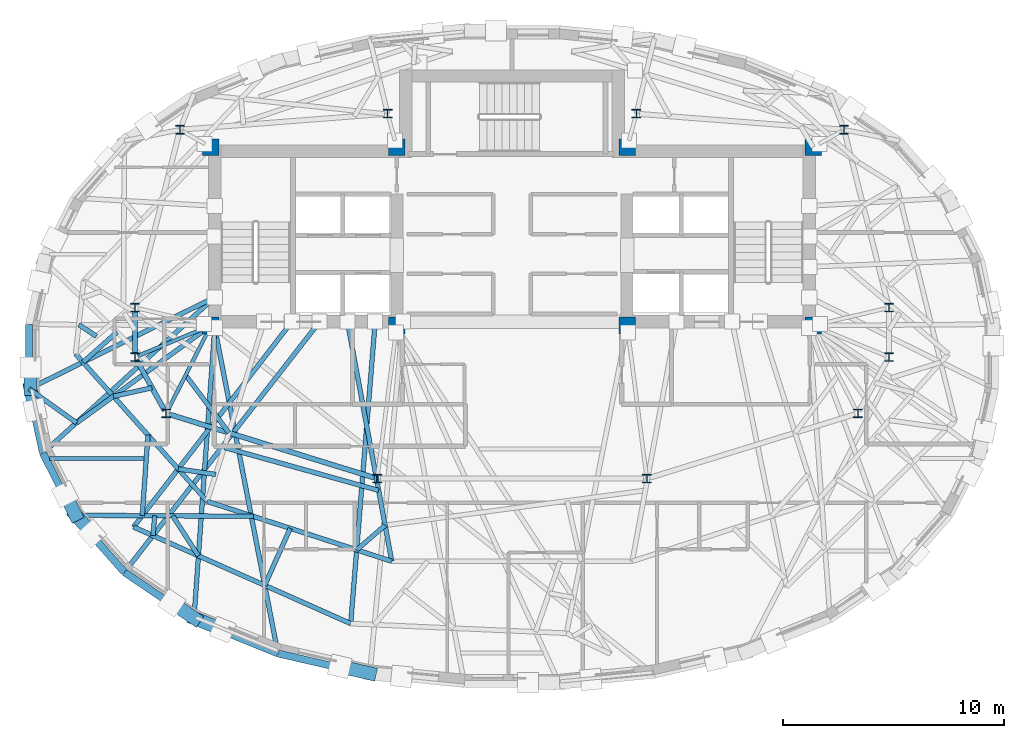
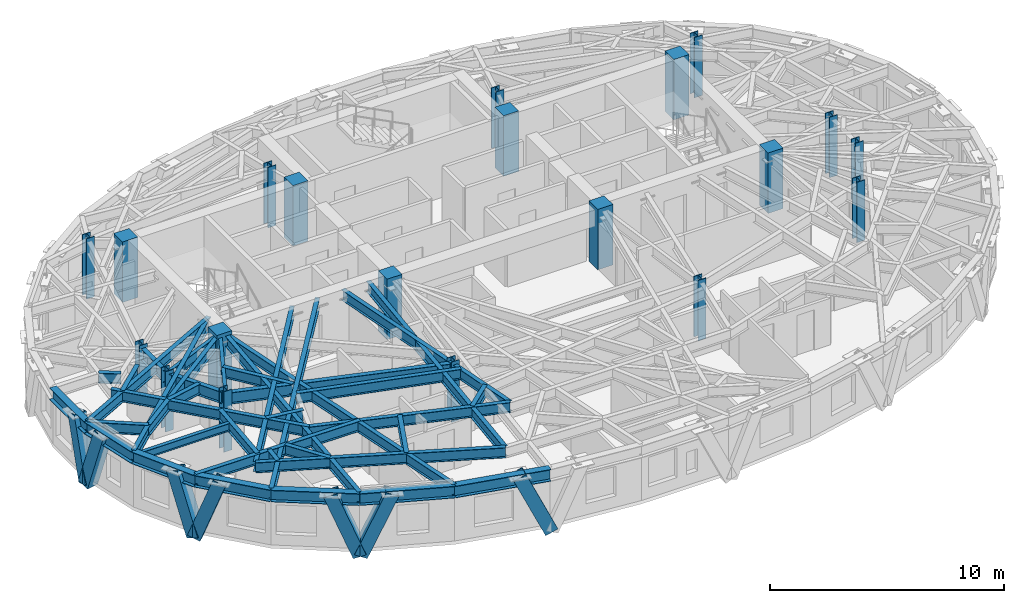
# One storey, part 1 of 13: 38 beams, 20 columns, 7 members.
"""IFC4 building model written with IfcOpenShell, lengths in metres."""

import ifcopenshell
import ifcopenshell.guid

model = None  # the IFC model being written
_history = None  # IfcOwnerHistory: only IFC2X3 demands one
_inside = {}  # id of a spatial element -> (the spatial element, [elements in it])
_under = {}  # id of a project, library or spatial element -> (it, [spatial elements below it])
_declared = {}  # id of a project -> (the project, [libraries it declares])
_typed = {}  # id of a type object -> (the type object, [elements of that type])
_made_of = {}  # id of a material, layer set ... -> (it, [elements and type objects made of it])


def new_model(schema):
    """Start an empty IFC model of exactly this schema.

    Asked for "IFC4X3", IfcOpenShell would pick the latest addendum, in which some entities
    have other attributes; the version numbers below select the first issue.
    IFC2X3 requires an IfcOwnerHistory on every rooted entity: one is made here for all.
    """
    global model, _history
    if schema == "IFC4X3":
        model = ifcopenshell.file(schema_version=(4, 3, 0, 0))
    else:
        model = ifcopenshell.file(schema=schema)
    _inside.clear()
    _under.clear()
    _declared.clear()
    _typed.clear()
    _made_of.clear()
    _history = None
    if model.schema == "IFC2X3":
        org = make("IfcOrganization", Name="unknown")
        user = make(
            "IfcPersonAndOrganization",
            ThePerson=make("IfcPerson", FamilyName="unknown"),
            TheOrganization=org,
        )
        app = make(
            "IfcApplication",
            ApplicationDeveloper=org,
            Version="unknown",
            ApplicationFullName="unknown",
            ApplicationIdentifier="unknown",
        )
        _history = make(
            "IfcOwnerHistory",
            OwningUser=user,
            OwningApplication=app,
            ChangeAction="ADDED",
            CreationDate=0,
        )
    return model


def make(cls, **values):
    """One entity of the class cls with the attributes given. An attribute that is None is left unset."""
    return model.create_entity(
        cls, **{name: value for name, value in values.items() if value is not None}
    )


def rooted(cls, **values):
    """An entity with a GlobalId (a new one), such as an element, a storey or a relation."""
    return make(cls, GlobalId=ifcopenshell.guid.new(), OwnerHistory=_history, **values)


def si_unit(unit_type, name, prefix=None):
    """IfcSIUnit, for example si_unit("LENGTHUNIT", "METRE", prefix="MILLI")."""
    return make("IfcSIUnit", UnitType=unit_type, Prefix=prefix, Name=name)


def assignment(units):
    """IfcUnitAssignment: the units of a project."""
    return None if units is None else make("IfcUnitAssignment", Units=units)


def point(xyz):
    """IfcCartesianPoint."""
    return None if xyz is None else make("IfcCartesianPoint", Coordinates=xyz)


def direction(xyz):
    """IfcDirection."""
    return None if xyz is None else make("IfcDirection", DirectionRatios=xyz)


def frame(location, z_axis=None, x_axis=None):
    """IfcAxis2Placement3D, a coordinate frame: its origin and axes. An axis left out is left unset."""
    return make(
        "IfcAxis2Placement3D",
        Location=point(location),
        Axis=direction(z_axis),
        RefDirection=direction(x_axis),
    )


def frame_2d(location, x_axis=None):
    """IfcAxis2Placement2D, a coordinate frame in the plane: its origin and x axis."""
    return make(
        "IfcAxis2Placement2D", Location=point(location), RefDirection=direction(x_axis)
    )


def origin():
    """The frame at (0, 0, 0) with its axes left unset."""
    return frame((0.0, 0.0, 0.0))


def origin_2d():
    """The frame at (0, 0) in the plane with its x axis left unset."""
    return frame_2d((0.0, 0.0))


def place(relative_to, where):
    """IfcLocalPlacement: puts the frame where relative to a parent placement (None: the world)."""
    return make(
        "IfcLocalPlacement", PlacementRelTo=relative_to, RelativePlacement=where
    )


def context(
    kind, dimensions, precision=None, world=None, true_north=None, identifier=None
):
    """IfcGeometricRepresentationContext, for example the 3D "Model" context."""
    return make(
        "IfcGeometricRepresentationContext",
        ContextIdentifier=identifier,
        ContextType=kind,
        CoordinateSpaceDimension=dimensions,
        Precision=precision,
        WorldCoordinateSystem=world,
        TrueNorth=true_north,
    )


def subcontext(parent, identifier, kind, view, scale=None):
    """IfcGeometricRepresentationSubContext, for example "Body" below "Model"."""
    return make(
        "IfcGeometricRepresentationSubContext",
        ContextIdentifier=identifier,
        ContextType=kind,
        ParentContext=parent,
        TargetScale=scale,
        TargetView=view,
    )


def project(units=None, contexts=None):
    """IfcProject with its units and contexts."""
    return rooted(
        "IfcProject",
        Name="project",
        RepresentationContexts=contexts,
        UnitsInContext=assignment(units),
    )


def spatial(cls, under=None, at=None, **own):
    """A site, building, storey or space (cls), placed at a placement, below another one or the project."""
    s = rooted(cls, ObjectPlacement=at, **own)
    if under is not None:
        _under.setdefault(under.id(), (under, []))[1].append(s)
    return s


def profile(cls, at=None, kind="AREA", **sizes):
    """A parametric profile (cls). Its sizes go by their IFC names, for example OverallWidth=200.0."""
    return make(cls, ProfileType=kind, Position=at, **sizes)


def rectangle(**sizes):
    """IfcRectangleProfileDef."""
    return profile("IfcRectangleProfileDef", **sizes)


def hollow_rectangle(**sizes):
    """IfcRectangleHollowProfileDef."""
    return profile("IfcRectangleHollowProfileDef", **sizes)


def i_section(**sizes):
    """IfcIShapeProfileDef."""
    return profile("IfcIShapeProfileDef", **sizes)


def extrude(swept, where, along, depth):
    """IfcExtrudedAreaSolid: the profile swept, set in the frame where, extruded along a direction by depth."""
    return make(
        "IfcExtrudedAreaSolid",
        SweptArea=swept,
        Position=where,
        ExtrudedDirection=direction(along),
        Depth=depth,
    )


def shape(context_of_items, identifier, shape_type, items):
    """IfcShapeRepresentation: the items that make up one representation, for example the "Body"."""
    return make(
        "IfcShapeRepresentation",
        ContextOfItems=context_of_items,
        RepresentationIdentifier=identifier,
        RepresentationType=shape_type,
        Items=items,
    )


def material(Name=None, Category=None):
    """IfcMaterial."""
    return make("IfcMaterial", Name=Name, Category=Category)


def material_profile(
    of_material, cross_section, Name=None, Category=None, Priority=None
):
    """IfcMaterialProfile: a cross section and its material."""
    return make(
        "IfcMaterialProfile",
        Name=Name,
        Material=of_material,
        Profile=cross_section,
        Priority=Priority,
        Category=Category,
    )


def profile_set(profiles, Name=None, composite=None):
    """IfcMaterialProfileSet."""
    return make(
        "IfcMaterialProfileSet",
        Name=Name,
        MaterialProfiles=profiles,
        CompositeProfile=composite,
    )


def made_of(thing, what):
    """Note that an element or type object is made of a material, layer set ...; save() writes the relation."""
    if what is not None:
        _made_of.setdefault(what.id(), (what, []))[1].append(thing)
    return thing


def type_object(cls, material=None, **own):
    """A type object (cls), such as IfcWallType, which elements share."""
    return made_of(rooted(cls, **own), material)


def element(
    cls,
    number,
    at=None,
    inside=None,
    cuts=None,
    type_object=None,
    material=None,
    context=None,
    identifier="Body",
    shape_type=None,
    held_by="IfcProductDefinitionShape",
    body=None,
    shapes=None,
    **own,
):
    """One element of the class cls, such as IfcWall. Its Tag is "e" and its number.

    at: its placement. inside: the storey or other place that contains it. cuts: it is an
    opening in that element (IfcRelVoidsElement). A single representation is given by context,
    identifier, shape_type and body (its items); several are given by shapes. held_by: the class
    of the entity that holds the representations. save() writes the other relations.
    """
    e = rooted(cls, Tag="e%d" % number, ObjectPlacement=at, **own)
    if body is not None:
        shapes = [shape(context, identifier, shape_type, body)]
    if shapes is not None:
        e.Representation = make(held_by, Representations=shapes)
    if inside is not None:
        _inside.setdefault(inside.id(), (inside, []))[1].append(e)
    if cuts is not None:
        rooted(
            "IfcRelVoidsElement", RelatingBuildingElement=cuts, RelatedOpeningElement=e
        )
    if type_object is not None:
        _typed.setdefault(type_object.id(), (type_object, []))[1].append(e)
    return made_of(e, material)


def aggregate(whole, parts):
    """IfcRelAggregates: a whole, such as a stair, and the parts it consists of."""
    return rooted("IfcRelAggregates", RelatingObject=whole, RelatedObjects=parts)


def save(model, path):
    """Write the relations noted so far, then the file.

    IfcRelAggregates (storeys below a building ...), IfcRelContainedInSpatialStructure (elements
    in a storey), IfcRelDefinesByType, IfcRelAssociatesMaterial and IfcRelDeclares: one each for
    every whole, place, type object, material and project.
    """
    for whole, parts in _under.values():
        aggregate(whole, parts)
    for where, things in _inside.values():
        rooted(
            "IfcRelContainedInSpatialStructure",
            RelatedElements=things,
            RelatingStructure=where,
        )
    for kind, things in _typed.values():
        rooted("IfcRelDefinesByType", RelatedObjects=things, RelatingType=kind)
    for what, things in _made_of.values():
        rooted("IfcRelAssociatesMaterial", RelatedObjects=things, RelatingMaterial=what)
    for by, libraries in _declared.values():
        rooted("IfcRelDeclares", RelatingContext=by, RelatedDefinitions=libraries)
    model.write(path)


model = new_model("IFC4")

# Units and contexts
model_context = context("Model", 3, precision=1e-05, world=origin(), true_north=direction((0.0, 1.0)))
body_context = subcontext(model_context, "Body", "Model", "MODEL_VIEW")
ifc_project = project(units=[si_unit("LENGTHUNIT", "METRE"), si_unit("AREAUNIT", "SQUARE_METRE"), si_unit("VOLUMEUNIT", "CUBIC_METRE"), si_unit("PLANEANGLEUNIT", "RADIAN"), si_unit("MASSUNIT", "GRAM", prefix="KILO")], contexts=[model_context])

# Site, building, storey
site_placement = place(None, origin())
site = spatial("IfcSite", under=ifc_project, at=site_placement, CompositionType="ELEMENT")
building_placement = place(site_placement, origin())
building = spatial("IfcBuilding", under=site, at=building_placement, Name="Keldmark Tower", CompositionType="ELEMENT")
storey_placement = place(building_placement, frame((0.0, 0.0, 235.199951171875)))
storey = spatial("IfcBuildingStorey", under=building, at=storey_placement, Name="L66", CompositionType="ELEMENT", Elevation=235.199951171875)

# Columns
ifc_material_1 = material(Name="Concrete C50/60", Category="concrete")
ifc_material_profile_1 = material_profile(ifc_material_1, rectangle(XDim=0.75, YDim=0.75, at=origin_2d()), Name="RC750X750")
ifc_profile_set_1 = profile_set([ifc_material_profile_1], Name="Concrete C50/60")
column_type_1 = type_object("IfcColumnType", Name="Core Boundary Column RC750", PredefinedType="PILASTER", material=ifc_profile_set_1)
for number, where, z_axis, x_axis, name in (
    (1, (-13.60009765625, 1.39990234375, 0.0), (0.0, 0.0, 1.0), (1.0, 0.0, 0.0), "L66 Core Boundary Column CC-W1"),
    (2, (-13.60009765625, 9.449951171875, 0.0), (0.0, 0.0, 1.0), (1.0, 0.0, 0.0), "L66 Core Boundary Column CC-W2"),
    (3, (-5.199951171875, 1.39990234375, 0.0), (0.0, 0.0, 1.0), (1.0, 0.0, 0.0), "L66 Core Boundary Column CC-W3"),
    (4, (-5.199951171875, 9.449951171875, 0.0), (0.0, 0.0, 1.0), (1.0, 0.0, 0.0), "L66 Core Boundary Column CC-W4"),
    (5, (5.199951171875, 1.39990234375, 0.0), (0.0, 0.0, 1.0), (1.0, 0.0, 0.0), "L66 Core Boundary Column CC-E1"),
    (6, (5.199951171875, 9.449951171875, 0.0), (0.0, 0.0, 1.0), (1.0, 0.0, 0.0), "L66 Core Boundary Column CC-E2"),
    (7, (13.60009765625, 1.39990234375, 0.0), (0.0, 0.0, 1.0), (1.0, 0.0, 0.0), "L66 Core Boundary Column CC-E3"),
    (8, (13.60009765625, 9.449951171875, 0.0), (0.0, 0.0, 1.0), (1.0, 0.0, 0.0), "L66 Core Boundary Column CC-E4"),
):
    element("IfcColumn", number, at=place(storey_placement, frame(where, z_axis=z_axis, x_axis=x_axis)), inside=storey, type_object=column_type_1, Name=name, PredefinedType="PILASTER", context=body_context, shape_type="SweptSolid", body=[
        extrude(rectangle(XDim=0.75, YDim=0.75, at=origin_2d()), origin(), (0.0, 0.0, 1.0), 3.150146484375),
    ])
ifc_material_2 = material(Name="Steel ASTM A992 Grade 50", Category="steel")
ifc_material_profile_2 = material_profile(ifc_material_2, i_section(OverallWidth=0.39892578125, OverallDepth=0.386962890625, WebThickness=0.02099609375, FlangeThickness=0.033203125, at=origin_2d()), Name="W14X176")
ifc_profile_set_2 = profile_set([ifc_material_profile_2], Name="Steel ASTM A992 Grade 50")
column_type_2 = type_object("IfcColumnType", Name="Tower Gravity Column W14X176", PredefinedType="COLUMN", material=ifc_profile_set_2)
for number, where, z_axis, x_axis, name in (
    (9, (17.025634765625, 2.2080078125, 0.0), (0.0, 0.0, 1.0), (1.0, 0.0, 0.0), "L66 Tower Gravity Column TC-E1"),
    (10, (14.995849609375, 10.24365234375, 0.0), (0.0, 0.0, 1.0), (1.0, 0.0, 0.0), "L66 Tower Gravity Column TC-E4"),
    (11, (5.61865234375, 10.967041015625, 0.0), (0.0, 0.0, 1.0), (1.0, 0.0, 0.0), "L66 Tower Gravity Column TC-N2"),
    (12, (-5.61865234375, 10.967041015625, 0.0), (0.0, 0.0, 1.0), (1.0, 0.0, 0.0), "L66 Tower Gravity Column TC-N1"),
    (13, (-14.995849609375, 10.24365234375, 0.0), (0.0, 0.0, 1.0), (1.0, 0.0, 0.0), "L66 Tower Gravity Column TC-W4"),
    (14, (-17.025634765625, 2.2080078125, 0.0), (0.0, 0.0, 1.0), (1.0, 0.0, 0.0), "L66 Tower Gravity Column TC-W1"),
    (15, (-17.025634765625, -0.02392578125, 0.0), (0.0, 0.0, 1.0), (1.0, 0.0, 0.0), "L66 Tower Gravity Column TC-W5"),
    (16, (-15.6162109375, -2.5673828125, 0.0), (0.0, 0.0, 1.0), (1.0, 0.0, 0.0), "L66 Tower Gravity Column TC-W2"),
    (17, (-6.089599609375, -5.512939453125, 0.0), (0.0, 0.0, 1.0), (1.0, 0.0, 0.0), "L66 Tower Gravity Column TC-W3"),
    (18, (6.089599609375, -5.512939453125, 0.0), (0.0, 0.0, 1.0), (1.0, 0.0, 0.0), "L66 Tower Gravity Column TC-E3"),
    (19, (15.6162109375, -2.5673828125, 0.0), (0.0, 0.0, 1.0), (1.0, 0.0, 0.0), "L66 Tower Gravity Column TC-E2"),
    (20, (17.025634765625, -0.02392578125, 0.0), (0.0, 0.0, 1.0), (1.0, 0.0, 0.0), "L66 Tower Gravity Column TC-E5"),
):
    element("IfcColumn", number, at=place(storey_placement, frame(where, z_axis=z_axis, x_axis=x_axis)), inside=storey, type_object=column_type_2, Name=name, PredefinedType="COLUMN", context=body_context, shape_type="SweptSolid", body=[
        extrude(i_section(OverallWidth=0.39892578125, OverallDepth=0.386962890625, WebThickness=0.02099609375, FlangeThickness=0.033203125, at=origin_2d()), origin(), (0.0, 0.0, 1.0), 3.150146484375),
    ])

# Beam
ifc_material_3 = material(Name="Steel ASTM A992 Grade 50", Category="steel")
ifc_material_profile_3 = material_profile(ifc_material_3, i_section(OverallWidth=0.177978515625, OverallDepth=0.403076171875, WebThickness=0.007568359375, FlangeThickness=0.010986328125, at=origin_2d()), Name="W16X36")
ifc_profile_set_3 = profile_set([ifc_material_profile_3], Name="Steel ASTM A992 Grade 50")
beam_type_1 = type_object("IfcBeamType", Name="Composite Floor Joist W16X36", PredefinedType="JOIST", material=ifc_profile_set_3)
beam_1_placement = place(storey_placement, frame((-20.889404296875, -4.60009765625, 2.7685546875), z_axis=(1.0, 0.0, 0.0), x_axis=(0.0, 1.0, 0.0)))
element("IfcBeam", 21, at=beam_1_placement, inside=storey, type_object=beam_type_1, Name="L66 Composite Floor Joist J03", PredefinedType="JOIST", context=body_context, shape_type="SweptSolid", body=[
    extrude(i_section(OverallWidth=0.177978515625, OverallDepth=0.403076171875, WebThickness=0.007568359375, FlangeThickness=0.010986328125, at=origin_2d()), origin(), (0.0, 0.0, 1.0), 4.277099609375),
])

# Members
ifc_material_4 = material(Name="Steel ASTM A572 Grade 50", Category="steel")
ifc_material_profile_4 = material_profile(ifc_material_4, hollow_rectangle(XDim=0.60009765625, YDim=0.60009765625, WallThickness=0.034912109375, at=origin_2d()), Name="BOX600X600X35")
ifc_profile_set_4 = profile_set([ifc_material_profile_4], Name="Steel ASTM A572 Grade 50")
member_type = type_object("IfcMemberType", Name="Diagrid Zone 4 Brace BOX600X600X35", PredefinedType="BRACE", material=ifc_profile_set_4)
member_1_placement = place(storey_placement, frame((-21.74951171875, -1.46240234375, -0.260009765625), z_axis=(0.0, 0.298006184629, 0.954563939148), x_axis=(-1.0, 0.0, 0.0)))
element("IfcMember", 22, at=member_1_placement, inside=storey, type_object=member_type, Name="L66 Perimeter Diagrid Brace 08B", PredefinedType="BRACE", context=body_context, shape_type="SweptSolid", body=[
    extrude(hollow_rectangle(XDim=0.60009765625, YDim=0.60009765625, WallThickness=0.034912109375, at=origin_2d()), origin(), (0.0, 0.0, 1.0), 3.258056640625),
])
member_2_placement = place(storey_placement, frame((-21.74951171875, -1.45068359375, -0.260009765625), z_axis=(0.063809841383, -0.296308067664, 0.952958463512), x_axis=(0.977588814613, 0.210523418042, 0.0)))
element("IfcMember", 23, at=member_2_placement, inside=storey, type_object=member_type, Name="L66 Perimeter Diagrid Brace 09A", PredefinedType="BRACE", context=body_context, shape_type="SweptSolid", body=[
    extrude(hollow_rectangle(XDim=0.60009765625, YDim=0.60009765625, WallThickness=0.034912109375, at=origin_2d()), origin(), (0.0, 0.0, 1.0), 3.263671875),
])
member_3_placement = place(storey_placement, frame((-19.71728515625, -7.14990234375, -0.260009765625), z_axis=(-0.143201801896, 0.285362136141, 0.94766117109), x_axis=(-0.89377384963, -0.448517898993, 0.0)))
element("IfcMember", 24, at=member_3_placement, inside=storey, type_object=member_type, Name="L66 Perimeter Diagrid Brace 09B", PredefinedType="BRACE", context=body_context, shape_type="SweptSolid", body=[
    extrude(hollow_rectangle(XDim=0.60009765625, YDim=0.60009765625, WallThickness=0.034912109375, at=origin_2d()), origin(), (0.0, 0.0, 1.0), 3.281982421875),
])
member_4_placement = place(storey_placement, frame((-19.7216796875, -7.138916015625, -0.260009765625), z_axis=(0.228311749469, -0.258959599672, 0.938516739751), x_axis=(0.750099356508, 0.661325151016, 0.0)))
element("IfcMember", 25, at=member_4_placement, inside=storey, type_object=member_type, Name="L66 Perimeter Diagrid Brace 10A", PredefinedType="BRACE", context=body_context, shape_type="SweptSolid", body=[
    extrude(hollow_rectangle(XDim=0.60009765625, YDim=0.60009765625, WallThickness=0.034912109375, at=origin_2d()), origin(), (0.0, 0.0, 1.0), 3.31396484375),
])
member_5_placement = place(storey_placement, frame((-14.319580078125, -11.831787109375, -0.260009765625), z_axis=(-0.311615199657, 0.211331101564, 0.926409808268), x_axis=(-0.561279407881, -0.827626380856, 0.0)))
element("IfcMember", 26, at=member_5_placement, inside=storey, type_object=member_type, Name="L66 Perimeter Diagrid Brace 10B", PredefinedType="BRACE", context=body_context, shape_type="SweptSolid", body=[
    extrude(hollow_rectangle(XDim=0.60009765625, YDim=0.60009765625, WallThickness=0.034912109375, at=origin_2d()), origin(), (0.0, 0.0, 1.0), 3.357177734375),
])
member_6_placement = place(storey_placement, frame((-14.327880859375, -11.823486328125, -0.260009765625), z_axis=(0.372536559181, -0.151084670538, 0.915636354893), x_axis=(0.37582546078, 0.926690467756, 0.0)))
element("IfcMember", 27, at=member_6_placement, inside=storey, type_object=member_type, Name="L66 Perimeter Diagrid Brace 11A", PredefinedType="BRACE", context=body_context, shape_type="SweptSolid", body=[
    extrude(hollow_rectangle(XDim=0.60009765625, YDim=0.60009765625, WallThickness=0.034912109375, at=origin_2d()), origin(), (0.0, 0.0, 1.0), 3.396728515625),
])
member_7_placement = place(storey_placement, frame((-6.39794921875, -14.312255859375, -0.260009765625), z_axis=(-0.404082349251, 0.093288235482, 0.909953163709), x_axis=(-0.224947561892, -0.974370871075, 0.0)))
element("IfcMember", 28, at=member_7_placement, inside=storey, type_object=member_type, Name="L66 Perimeter Diagrid Brace 11B", PredefinedType="BRACE", context=body_context, shape_type="SweptSolid", body=[
    extrude(hollow_rectangle(XDim=0.60009765625, YDim=0.60009765625, WallThickness=0.034912109375, at=origin_2d()), origin(), (0.0, 0.0, 1.0), 3.41796875),
])

# Beams
ifc_material_5 = material(Name="Steel ASTM A992 Grade 50", Category="steel")
ifc_material_profile_5 = material_profile(ifc_material_5, i_section(OverallWidth=0.22802734375, OverallDepth=0.60302734375, WebThickness=0.010498046875, FlangeThickness=0.014892578125, at=origin_2d()), Name="W24X68")
ifc_profile_set_5 = profile_set([ifc_material_profile_5], Name="Steel ASTM A992 Grade 50")
beam_type_2 = type_object("IfcBeamType", Name="Primary Floor Girder W24X68", PredefinedType="BEAM", material=ifc_profile_set_5)
beam_2_placement = place(storey_placement, frame((-17.025634765625, 2.068115234375, 2.66845703125), z_axis=(0.0, -1.0, 0.0), x_axis=(1.0, 0.0, 0.0)))
element("IfcBeam", 29, at=beam_2_placement, inside=storey, type_object=beam_type_2, Name="L66 Floor Ring Girder FG-R06", PredefinedType="BEAM", context=body_context, shape_type="SweptSolid", body=[
    extrude(i_section(OverallWidth=0.22802734375, OverallDepth=0.60302734375, WebThickness=0.010498046875, FlangeThickness=0.014892578125, at=origin_2d()), origin(), (0.0, 0.0, 1.0), 1.9521484375),
])
beam_3_placement = place(storey_placement, frame((-16.957763671875, -0.146484375, 2.66845703125), z_axis=(0.484719680408, -0.874669555561, 0.0), x_axis=(0.874669555561, 0.484719680408, 0.0)))
element("IfcBeam", 30, at=beam_3_placement, inside=storey, type_object=beam_type_2, Name="L66 Floor Ring Girder FG-R07", PredefinedType="BEAM", context=body_context, shape_type="SweptSolid", body=[
    extrude(i_section(OverallWidth=0.22802734375, OverallDepth=0.60302734375, WebThickness=0.010498046875, FlangeThickness=0.014892578125, at=origin_2d()), origin(), (0.0, 0.0, 1.0), 2.627685546875),
])
beam_4_placement = place(storey_placement, frame((-15.482421875, -2.60888671875, 2.66845703125), z_axis=(0.955383255089, -0.295368982622, 0.0), x_axis=(0.295368982622, 0.955383255089, 0.0)))
element("IfcBeam", 31, at=beam_4_placement, inside=storey, type_object=beam_type_2, Name="L66 Floor Ring Girder FG-R08", PredefinedType="BEAM", context=body_context, shape_type="SweptSolid", body=[
    extrude(i_section(OverallWidth=0.22802734375, OverallDepth=0.60302734375, WebThickness=0.010498046875, FlangeThickness=0.014892578125, at=origin_2d()), origin(), (0.0, 0.0, 1.0), 9.69140625),
])
ifc_material_6 = material(Name="Steel ASTM A992 Grade 50", Category="steel")
ifc_material_profile_6 = material_profile(ifc_material_6, i_section(OverallWidth=0.166015625, OverallDepth=0.529052734375, WebThickness=0.009765625, FlangeThickness=0.013671875, at=origin_2d()), Name="W21X50")
ifc_profile_set_6 = profile_set([ifc_material_profile_6], Name="Steel ASTM A992 Grade 50")
beam_type_3 = type_object("IfcBeamType", Name="Radial Tie Girder W21X50", PredefinedType="BEAM", material=ifc_profile_set_6)
beam_5_placement = place(storey_placement, frame((-16.896240234375, 0.02978515625, 2.70556640625), z_axis=(0.923403331902, 0.383831065226, 0.0), x_axis=(-0.383831065226, 0.923403331902, 0.0)))
element("IfcBeam", 32, at=beam_5_placement, inside=storey, type_object=beam_type_3, Name="L66 Floor Radial Girder FG-C07", PredefinedType="BEAM", context=body_context, shape_type="SweptSolid", body=[
    extrude(i_section(OverallWidth=0.166015625, OverallDepth=0.529052734375, WebThickness=0.009765625, FlangeThickness=0.013671875, at=origin_2d()), origin(), (0.0, 0.0, 1.0), 3.249755859375),
])
beam_6_placement = place(storey_placement, frame((-15.552734375, -2.442626953125, 2.70556640625), z_axis=(0.453004410574, 0.89150827478, 0.0), x_axis=(-0.89150827478, 0.453004410574, 0.0)))
element("IfcBeam", 33, at=beam_6_placement, inside=storey, type_object=beam_type_3, Name="L66 Floor Radial Girder FG-C08", PredefinedType="BEAM", context=body_context, shape_type="SweptSolid", body=[
    extrude(i_section(OverallWidth=0.166015625, OverallDepth=0.529052734375, WebThickness=0.009765625, FlangeThickness=0.013671875, at=origin_2d()), origin(), (0.0, 0.0, 1.0), 3.990234375),
])
ifc_material_7 = material(Name="Steel ASTM A992 Grade 50", Category="steel")
ifc_material_profile_7 = material_profile(ifc_material_7, i_section(OverallWidth=0.2099609375, OverallDepth=0.537109375, WebThickness=0.010986328125, FlangeThickness=0.017333984375, at=origin_2d()), Name="W21X68")
ifc_profile_set_7 = profile_set([ifc_material_profile_7], Name="Steel ASTM A992 Grade 50")
beam_type_4 = type_object("IfcBeamType", Name="Radial Tie Girder W21X68", PredefinedType="BEAM", material=ifc_profile_set_7)
beam_7_placement = place(storey_placement, frame((-14.7392578125, -0.841796875, 2.70166015625), z_axis=(0.600792057917, -0.799405343455, 0.0), x_axis=(0.799405343455, 0.600792057917, 0.0)))
element("IfcBeam", 34, at=beam_7_placement, inside=storey, type_object=beam_type_4, Name="L66 Framing Pin Header PH-002", PredefinedType="BEAM", context=body_context, shape_type="SweptSolid", body=[
    extrude(i_section(OverallWidth=0.2099609375, OverallDepth=0.537109375, WebThickness=0.010986328125, FlangeThickness=0.017333984375, at=origin_2d()), origin(), (0.0, 0.0, 1.0), 3.253662109375),
])
beam_8_placement = place(storey_placement, frame((-12.994873046875, -4.106201171875, 2.70166015625), z_axis=(0.963443920859, -0.267910080735, 0.0), x_axis=(0.267910080735, 0.963443920859, 0.0)))
element("IfcBeam", 35, at=beam_8_placement, inside=storey, type_object=beam_type_4, Name="L66 Framing Pin Header PH-003", PredefinedType="BEAM", context=body_context, shape_type="SweptSolid", body=[
    extrude(i_section(OverallWidth=0.2099609375, OverallDepth=0.537109375, WebThickness=0.010986328125, FlangeThickness=0.017333984375, at=origin_2d()), origin(), (0.0, 0.0, 1.0), 7.236572265625),
])
beam_9_placement = place(storey_placement, frame((-7.43212890625, 1.574951171875, 2.70166015625), z_axis=(0.181862035839, -0.983324056413, 0.0), x_axis=(0.983324056413, 0.181862035839, 0.0)))
element("IfcBeam", 36, at=beam_9_placement, inside=storey, type_object=beam_type_4, Name="L66 Sub-Ring Step Girder STP1-M09", PredefinedType="BEAM", context=body_context, shape_type="SweptSolid", body=[
    extrude(i_section(OverallWidth=0.2099609375, OverallDepth=0.537109375, WebThickness=0.010986328125, FlangeThickness=0.017333984375, at=origin_2d()), origin(), (0.0, 0.0, 1.0), 11.004150390625),
])
beam_10_placement = place(storey_placement, frame((-19.709228515625, 0.118896484375, 2.70166015625), z_axis=(0.665753182489, -0.746172031107, 0.0), x_axis=(0.746172031107, 0.665753182489, 0.0)))
element("IfcBeam", 37, at=beam_10_placement, inside=storey, type_object=beam_type_4, Name="L66 Perimeter Collector Ring Beam CRG1-M07", PredefinedType="BEAM", context=body_context, shape_type="SweptSolid", body=[
    extrude(i_section(OverallWidth=0.2099609375, OverallDepth=0.537109375, WebThickness=0.010986328125, FlangeThickness=0.017333984375, at=origin_2d()), origin(), (0.0, 0.0, 1.0), 8.925537109375),
])
beam_11_placement = place(storey_placement, frame((-13.76708984375, -6.541015625, 2.70166015625), z_axis=(0.951190555886, -0.308604158094, 0.0), x_axis=(0.308604158094, 0.951190555886, 0.0)))
element("IfcBeam", 38, at=beam_11_placement, inside=storey, type_object=beam_type_4, Name="L66 Perimeter Collector Ring Beam CRG1-M08", PredefinedType="BEAM", context=body_context, shape_type="SweptSolid", body=[
    extrude(i_section(OverallWidth=0.2099609375, OverallDepth=0.537109375, WebThickness=0.010986328125, FlangeThickness=0.017333984375, at=origin_2d()), origin(), (0.0, 0.0, 1.0), 8.763916015625),
])
beam_12_placement = place(storey_placement, frame((-13.381103515625, -5.323486328125, 2.70166015625), z_axis=(-0.989621184917, 0.143700766747, 0.0), x_axis=(-0.143700766747, -0.989621184917, 0.0)))
element("IfcBeam", 39, at=beam_12_placement, inside=storey, type_object=beam_type_4, Name="L66 Framing Pin Header PH-008", PredefinedType="BEAM", context=body_context, shape_type="SweptSolid", body=[
    extrude(i_section(OverallWidth=0.2099609375, OverallDepth=0.537109375, WebThickness=0.010986328125, FlangeThickness=0.017333984375, at=origin_2d()), origin(), (0.0, 0.0, 1.0), 1.709228515625),
])
beam_13_placement = place(storey_placement, frame((-9.939208984375, 1.574951171875, 2.70166015625), z_axis=(-0.610875902906, -0.791726361345, 0.0), x_axis=(0.791726361345, -0.610875902906, 0.0)))
element("IfcBeam", 40, at=beam_13_placement, inside=storey, type_object=beam_type_4, Name="L66 Sub-Ring Step Girder STP2-M08", PredefinedType="BEAM", context=body_context, shape_type="SweptSolid", body=[
    extrude(i_section(OverallWidth=0.2099609375, OverallDepth=0.537109375, WebThickness=0.010986328125, FlangeThickness=0.017333984375, at=origin_2d()), origin(), (0.0, 0.0, 1.0), 11.70947265625),
])
beam_14_placement = place(storey_placement, frame((-5.731201171875, -7.622314453125, 2.70166015625), z_axis=(-0.756486336997, -0.654009496825, 0.0), x_axis=(0.654009496825, -0.756486336997, 0.0)))
element("IfcBeam", 41, at=beam_14_placement, inside=storey, type_object=beam_type_4, Name="L66 Framing Pin Header PH-009", PredefinedType="BEAM", context=body_context, shape_type="SweptSolid", body=[
    extrude(i_section(OverallWidth=0.2099609375, OverallDepth=0.537109375, WebThickness=0.010986328125, FlangeThickness=0.017333984375, at=origin_2d()), origin(), (0.0, 0.0, 1.0), 1.6962890625),
])
beam_15_placement = place(storey_placement, frame((-6.1787109375, 1.574951171875, 2.70166015625), z_axis=(-0.080804848006, -0.996729941628, 0.0), x_axis=(0.996729941628, -0.080804848006, 0.0)))
element("IfcBeam", 42, at=beam_15_placement, inside=storey, type_object=beam_type_4, Name="L66 Sub-Ring Step Girder STP2-M09", PredefinedType="BEAM", context=body_context, shape_type="SweptSolid", body=[
    extrude(i_section(OverallWidth=0.2099609375, OverallDepth=0.537109375, WebThickness=0.010986328125, FlangeThickness=0.017333984375, at=origin_2d()), origin(), (0.0, 0.0, 1.0), 13.6806640625),
])
beam_16_placement = place(storey_placement, frame((-17.09228515625, -7.69580078125, 2.70166015625), z_axis=(0.913601364177, -0.406611051712, 0.0), x_axis=(0.406611051712, 0.913601364177, 0.0)))
element("IfcBeam", 43, at=beam_16_placement, inside=storey, type_object=beam_type_4, Name="L66 Perimeter Collector Ring Beam CRG2-M08", PredefinedType="BEAM", context=body_context, shape_type="SweptSolid", body=[
    extrude(i_section(OverallWidth=0.2099609375, OverallDepth=0.537109375, WebThickness=0.010986328125, FlangeThickness=0.017333984375, at=origin_2d()), origin(), (0.0, 0.0, 1.0), 10.735595703125),
])
beam_17_placement = place(storey_placement, frame((-18.7666015625, 0.914794921875, 2.70166015625), z_axis=(-0.834169309851, 0.551508442821, 0.0), x_axis=(-0.551508442821, -0.834169309851, 0.0)))
element("IfcBeam", 44, at=beam_17_placement, inside=storey, type_object=beam_type_4, Name="L66 Framing Pin Header PH-020", PredefinedType="BEAM", context=body_context, shape_type="SweptSolid", body=[
    extrude(i_section(OverallWidth=0.2099609375, OverallDepth=0.537109375, WebThickness=0.010986328125, FlangeThickness=0.017333984375, at=origin_2d()), origin(), (0.0, 0.0, 1.0), 0.954345703125),
])
beam_18_placement = place(storey_placement, frame((-17.83837890625, 1.106689453125, 2.70166015625), z_axis=(-0.74788137502, -0.663832395186, 0.0), x_axis=(0.663832395186, -0.74788137502, 0.0)))
element("IfcBeam", 45, at=beam_18_placement, inside=storey, type_object=beam_type_4, Name="L66 Framing Pin Header PH-021", PredefinedType="BEAM", context=body_context, shape_type="SweptSolid", body=[
    extrude(i_section(OverallWidth=0.2099609375, OverallDepth=0.537109375, WebThickness=0.010986328125, FlangeThickness=0.017333984375, at=origin_2d()), origin(), (0.0, 0.0, 1.0), 2.0537109375),
])
beam_19_placement = place(storey_placement, frame((-13.425048828125, 2.675048828125, 2.70166015625), z_axis=(-0.897003254377, -0.442023937855, 0.0), x_axis=(0.442023937855, -0.897003254377, 0.0)))
element("IfcBeam", 46, at=beam_19_placement, inside=storey, type_object=beam_type_4, Name="L66 Perimeter Radial Tie Girder RT-17", PredefinedType="BEAM", context=body_context, shape_type="SweptSolid", body=[
    extrude(i_section(OverallWidth=0.2099609375, OverallDepth=0.537109375, WebThickness=0.010986328125, FlangeThickness=0.017333984375, at=origin_2d()), origin(), (0.0, 0.0, 1.0), 9.346923828125),
])
beam_20_placement = place(storey_placement, frame((-16.257080078125, -1.41064453125, 2.70166015625), z_axis=(-0.976631849806, -0.214919124195, 0.0), x_axis=(0.214919124195, -0.976631849806, 0.0)))
element("IfcBeam", 47, at=beam_20_placement, inside=storey, type_object=beam_type_4, Name="L66 Framing Pin Header PH-022", PredefinedType="BEAM", context=body_context, shape_type="SweptSolid", body=[
    extrude(i_section(OverallWidth=0.2099609375, OverallDepth=0.537109375, WebThickness=0.010986328125, FlangeThickness=0.017333984375, at=origin_2d()), origin(), (0.0, 0.0, 1.0), 1.786865234375),
])
beam_21_placement = place(storey_placement, frame((-13.60009765625, 1.39990234375, 2.70166015625), z_axis=(-0.809347410598, -0.587330204364, 0.0), x_axis=(0.587330204364, -0.809347410598, 0.0)))
element("IfcBeam", 48, at=beam_21_placement, inside=storey, type_object=beam_type_4, Name="L66 Intermediate Radial Step Girder RT-18M", PredefinedType="BEAM", context=body_context, shape_type="SweptSolid", body=[
    extrude(i_section(OverallWidth=0.2099609375, OverallDepth=0.537109375, WebThickness=0.010986328125, FlangeThickness=0.017333984375, at=origin_2d()), origin(), (0.0, 0.0, 1.0), 7.48974609375),
])
beam_22_placement = place(storey_placement, frame((-21.809326171875, -1.45654296875, 2.70166015625), z_axis=(0.812195844411, -0.583384873237, 0.0), x_axis=(0.583384873237, 0.812195844411, 0.0)))
element("IfcBeam", 49, at=beam_22_placement, inside=storey, type_object=beam_type_4, Name="L66 Local Collector Chord RT-18C", PredefinedType="BEAM", context=body_context, shape_type="SweptSolid", body=[
    extrude(i_section(OverallWidth=0.2099609375, OverallDepth=0.537109375, WebThickness=0.010986328125, FlangeThickness=0.017333984375, at=origin_2d()), origin(), (0.0, 0.0, 1.0), 2.64404296875),
])
beam_23_placement = place(storey_placement, frame((-13.425048828125, 2.675048828125, 2.70166015625), z_axis=(-0.740956137534, -0.671553424718, 0.0), x_axis=(0.671553424718, -0.740956137534, 0.0)))
element("IfcBeam", 50, at=beam_23_placement, inside=storey, type_object=beam_type_4, Name="L66 Perimeter Radial Tie Girder RT-18", PredefinedType="BEAM", context=body_context, shape_type="SweptSolid", body=[
    extrude(i_section(OverallWidth=0.2099609375, OverallDepth=0.537109375, WebThickness=0.010986328125, FlangeThickness=0.017333984375, at=origin_2d()), origin(), (0.0, 0.0, 1.0), 10.472412109375),
])
beam_24_placement = place(storey_placement, frame((-16.441162109375, -3.5439453125, 2.70166015625), z_axis=(-0.070672101234, -0.997499601056, 0.0), x_axis=(0.997499601056, -0.070672101234, 0.0)))
element("IfcBeam", 51, at=beam_24_placement, inside=storey, type_object=beam_type_4, Name="L66 Framing Pin Header PH-023", PredefinedType="BEAM", context=body_context, shape_type="SweptSolid", body=[
    extrude(i_section(OverallWidth=0.2099609375, OverallDepth=0.537109375, WebThickness=0.010986328125, FlangeThickness=0.017333984375, at=origin_2d()), origin(), (0.0, 0.0, 1.0), 3.6513671875),
])
beam_25_placement = place(storey_placement, frame((-11.68310546875, -7.217041015625, 2.70166015625), z_axis=(-0.999981057628, 0.00615502929, 0.0), x_axis=(-0.00615502929, -0.999981057628, 0.0)))
element("IfcBeam", 52, at=beam_25_placement, inside=storey, type_object=beam_type_4, Name="L66 Perimeter Radial Tie Girder RT-19", PredefinedType="BEAM", context=body_context, shape_type="SweptSolid", body=[
    extrude(i_section(OverallWidth=0.2099609375, OverallDepth=0.537109375, WebThickness=0.010986328125, FlangeThickness=0.017333984375, at=origin_2d()), origin(), (0.0, 0.0, 1.0), 8.091796875),
])
beam_26_placement = place(storey_placement, frame((-16.133544921875, -7.189697265625, 2.70166015625), z_axis=(-0.090315656941, -0.995913190048, 0.0), x_axis=(0.995913190048, -0.090315656941, 0.0)))
element("IfcBeam", 53, at=beam_26_placement, inside=storey, type_object=beam_type_4, Name="L66 Framing Pin Header PH-024", PredefinedType="BEAM", context=body_context, shape_type="SweptSolid", body=[
    extrude(i_section(OverallWidth=0.2099609375, OverallDepth=0.537109375, WebThickness=0.010986328125, FlangeThickness=0.017333984375, at=origin_2d()), origin(), (0.0, 0.0, 1.0), 0.900146484375),
])
beam_27_placement = place(storey_placement, frame((-8.685791015625, 1.574951171875, 2.70166015625), z_axis=(-0.614697840176, -0.78876267995, 0.0), x_axis=(0.78876267995, -0.614697840176, 0.0)))
element("IfcBeam", 54, at=beam_27_placement, inside=storey, type_object=beam_type_4, Name="L66 Perimeter Radial Tie Girder RT-20", PredefinedType="BEAM", context=body_context, shape_type="SweptSolid", body=[
    extrude(i_section(OverallWidth=0.2099609375, OverallDepth=0.537109375, WebThickness=0.010986328125, FlangeThickness=0.017333984375, at=origin_2d()), origin(), (0.0, 0.0, 1.0), 14.346923828125),
])
beam_28_placement = place(storey_placement, frame((-15.324462890625, -7.194580078125, 2.70166015625), z_axis=(0.541624604309, -0.840620477985, 0.0), x_axis=(0.840620477985, 0.541624604309, 0.0)))
element("IfcBeam", 55, at=beam_28_placement, inside=storey, type_object=beam_type_4, Name="L66 Framing Pin Header PH-025", PredefinedType="BEAM", context=body_context, shape_type="SweptSolid", body=[
    extrude(i_section(OverallWidth=0.2099609375, OverallDepth=0.537109375, WebThickness=0.010986328125, FlangeThickness=0.017333984375, at=origin_2d()), origin(), (0.0, 0.0, 1.0), 2.148193359375),
])
beam_29_placement = place(storey_placement, frame((-13.425048828125, 1.300048828125, 2.70166015625), z_axis=(-0.071261504304, -0.997457667274, 0.0), x_axis=(0.997457667274, -0.071261504304, 0.0)))
element("IfcBeam", 56, at=beam_29_placement, inside=storey, type_object=beam_type_4, Name="L66 Perimeter Radial Tie Girder RT-21", PredefinedType="BEAM", context=body_context, shape_type="SweptSolid", body=[
    extrude(i_section(OverallWidth=0.2099609375, OverallDepth=0.537109375, WebThickness=0.010986328125, FlangeThickness=0.017333984375, at=origin_2d()), origin(), (0.0, 0.0, 1.0), 13.20361328125),
])
beam_30_placement = place(storey_placement, frame((-10.015869140625, -7.758056640625, 2.70166015625), z_axis=(-0.40812120546, -0.912927752702, 0.0), x_axis=(0.912927752702, -0.40812120546, 0.0)))
element("IfcBeam", 57, at=beam_30_placement, inside=storey, type_object=beam_type_4, Name="L66 Framing Pin Header PH-026", PredefinedType="BEAM", context=body_context, shape_type="SweptSolid", body=[
    extrude(i_section(OverallWidth=0.2099609375, OverallDepth=0.537109375, WebThickness=0.010986328125, FlangeThickness=0.017333984375, at=origin_2d()), origin(), (0.0, 0.0, 1.0), 2.820556640625),
])
beam_31_placement = place(storey_placement, frame((-13.425048828125, 1.300048828125, 2.70166015625), z_axis=(0.1905543397, -0.981676649219, 0.0), x_axis=(0.981676649219, 0.1905543397, 0.0)))
element("IfcBeam", 58, at=beam_31_placement, inside=storey, type_object=beam_type_4, Name="L66 Perimeter Radial Tie Girder RT-22", PredefinedType="BEAM", context=body_context, shape_type="SweptSolid", body=[
    extrude(i_section(OverallWidth=0.2099609375, OverallDepth=0.537109375, WebThickness=0.010986328125, FlangeThickness=0.017333984375, at=origin_2d()), origin(), (0.0, 0.0, 1.0), 14.98388671875),
])
ifc_material_8 = material(Name="Steel ASTM A992 Grade 50", Category="steel")
ifc_material_profile_8 = material_profile(ifc_material_8, i_section(OverallWidth=0.326904296875, OverallDepth=0.6220703125, WebThickness=0.015380859375, FlangeThickness=0.0244140625, at=origin_2d()), Name="W24X131")
ifc_profile_set_8 = profile_set([ifc_material_profile_8], Name="Steel ASTM A992 Grade 50")
beam_type_5 = type_object("IfcBeamType", Name="Spandrel Ring Beam W24X131", PredefinedType="SPANDREL", material=ifc_profile_set_8)
beam_32_placement = place(storey_placement, frame((-21.809326171875, 1.45654296875, 2.658935546875), z_axis=(0.0, -1.0, 0.0), x_axis=(1.0, 0.0, 0.0)))
element("IfcBeam", 59, at=beam_32_placement, inside=storey, type_object=beam_type_5, Name="L66 Perimeter Spandrel Ring Beam SRB-16", PredefinedType="SPANDREL", context=body_context, shape_type="SweptSolid", body=[
    extrude(i_section(OverallWidth=0.326904296875, OverallDepth=0.6220703125, WebThickness=0.015380859375, FlangeThickness=0.0244140625, at=origin_2d()), origin(), (0.0, 0.0, 1.0), 2.9130859375),
])
beam_33_placement = place(storey_placement, frame((-21.809326171875, -1.45654296875, 2.658935546875), z_axis=(0.210523418042, -0.977588814613, 0.0), x_axis=(0.977588814613, 0.210523418042, 0.0)))
element("IfcBeam", 60, at=beam_33_placement, inside=storey, type_object=beam_type_5, Name="L66 Perimeter Spandrel Ring Beam SRB-17", PredefinedType="SPANDREL", context=body_context, shape_type="SweptSolid", body=[
    extrude(i_section(OverallWidth=0.326904296875, OverallDepth=0.6220703125, WebThickness=0.015380859375, FlangeThickness=0.0244140625, at=origin_2d()), origin(), (0.0, 0.0, 1.0), 2.967529296875),
])
beam_34_placement = place(storey_placement, frame((-21.1845703125, -4.357666015625, 2.658935546875), z_axis=(0.448517898993, -0.89377384963, 0.0), x_axis=(0.89377384963, 0.448517898993, 0.0)))
element("IfcBeam", 61, at=beam_34_placement, inside=storey, type_object=beam_type_5, Name="L66 Perimeter Spandrel Ring Beam SRB-18", PredefinedType="SPANDREL", context=body_context, shape_type="SweptSolid", body=[
    extrude(i_section(OverallWidth=0.326904296875, OverallDepth=0.6220703125, WebThickness=0.015380859375, FlangeThickness=0.0244140625, at=origin_2d()), origin(), (0.0, 0.0, 1.0), 3.1435546875),
])
beam_35_placement = place(storey_placement, frame((-19.774658203125, -7.167236328125, 2.658935546875), z_axis=(0.66136043846, -0.750068243855, 0.0), x_axis=(0.750068243855, 0.66136043846, 0.0)))
element("IfcBeam", 62, at=beam_35_placement, inside=storey, type_object=beam_type_5, Name="L66 Perimeter Spandrel Ring Beam SRB-19", PredefinedType="SPANDREL", context=body_context, shape_type="SweptSolid", body=[
    extrude(i_section(OverallWidth=0.326904296875, OverallDepth=0.6220703125, WebThickness=0.015380859375, FlangeThickness=0.0244140625, at=origin_2d()), origin(), (0.0, 0.0, 1.0), 3.431884765625),
])
beam_36_placement = place(storey_placement, frame((-17.5048828125, -9.741455078125, 2.658935546875), z_axis=(0.827637036896, -0.561263694851, 0.0), x_axis=(0.561263694851, 0.827637036896, 0.0)))
element("IfcBeam", 63, at=beam_36_placement, inside=storey, type_object=beam_type_5, Name="L66 Perimeter Spandrel Ring Beam SRB-20", PredefinedType="SPANDREL", context=body_context, shape_type="SweptSolid", body=[
    extrude(i_section(OverallWidth=0.326904296875, OverallDepth=0.6220703125, WebThickness=0.015380859375, FlangeThickness=0.0244140625, at=origin_2d()), origin(), (0.0, 0.0, 1.0), 3.792724609375),
])
beam_37_placement = place(storey_placement, frame((-14.365966796875, -11.8701171875, 2.658935546875), z_axis=(0.926731976866, -0.375723093586, 0.0), x_axis=(0.375723093586, 0.926731976866, 0.0)))
element("IfcBeam", 64, at=beam_37_placement, inside=storey, type_object=beam_type_5, Name="L66 Perimeter Spandrel Ring Beam SRB-21", PredefinedType="SPANDREL", context=body_context, shape_type="SweptSolid", body=[
    extrude(i_section(OverallWidth=0.326904296875, OverallDepth=0.6220703125, WebThickness=0.015380859375, FlangeThickness=0.0244140625, at=origin_2d()), origin(), (0.0, 0.0, 1.0), 4.09619140625),
])
beam_38_placement = place(storey_placement, frame((-10.56982421875, -13.4091796875, 2.658935546875), z_axis=(0.974411512007, -0.224771451185, 0.0), x_axis=(0.224771451185, 0.974411512007, 0.0)))
element("IfcBeam", 65, at=beam_38_placement, inside=storey, type_object=beam_type_5, Name="L66 Perimeter Spandrel Ring Beam SRB-22", PredefinedType="SPANDREL", context=body_context, shape_type="SweptSolid", body=[
    extrude(i_section(OverallWidth=0.326904296875, OverallDepth=0.6220703125, WebThickness=0.015380859375, FlangeThickness=0.0244140625, at=origin_2d()), origin(), (0.0, 0.0, 1.0), 4.25244140625),
])

save(model, "model.ifc")
